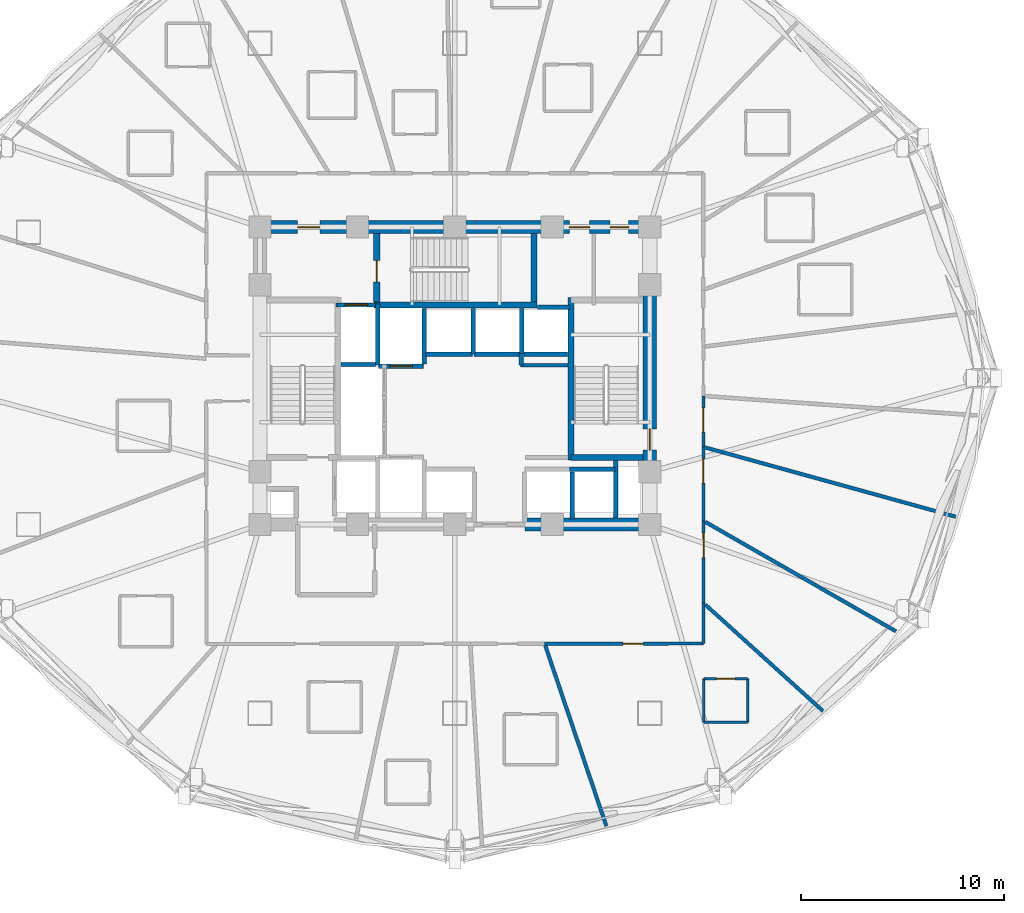
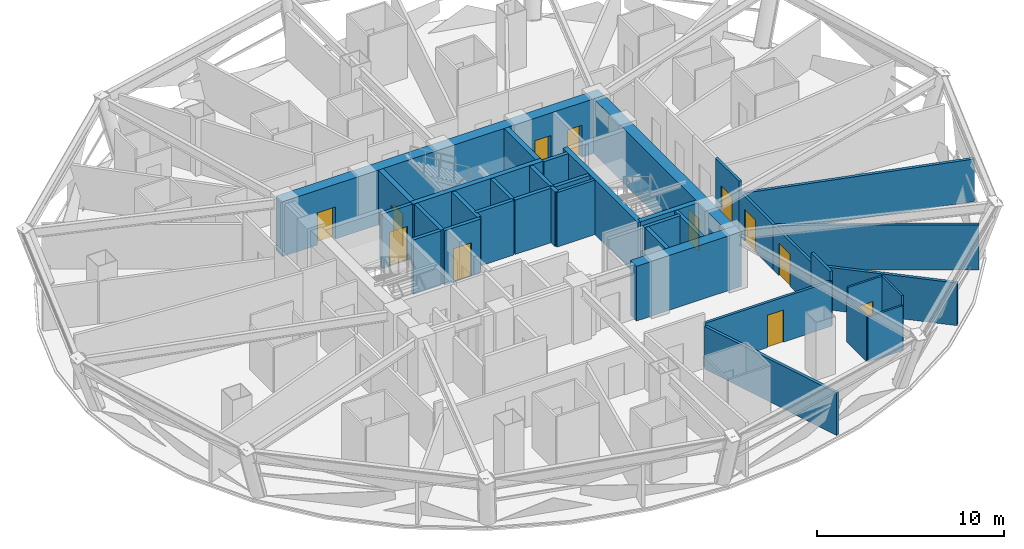
# One storey, part 6 of 12: 37 walls, 12 doors, 12 openings.
"""IFC4 building model written with IfcOpenShell, lengths in metres."""

from ifc_helpers import new_model, si_unit, direction, frame, frame_2d, origin, place, context, subcontext, project, spatial, rectangle, extrude, material, layer, layer_set, type_object, element, fill, save


model = new_model("IFC4")

# Units and contexts
model_context = context("Model", 3, precision=1e-05, world=origin(), true_north=direction((0.0, 1.0)))
body_context = subcontext(model_context, "Body", "Model", "MODEL_VIEW")
ifc_project = project(units=[si_unit("LENGTHUNIT", "METRE"), si_unit("AREAUNIT", "SQUARE_METRE"), si_unit("VOLUMEUNIT", "CUBIC_METRE"), si_unit("PLANEANGLEUNIT", "RADIAN"), si_unit("MASSUNIT", "GRAM", prefix="KILO")], contexts=[model_context])

# Site, building, storey
site_placement = place(None, origin())
site = spatial("IfcSite", under=ifc_project, at=site_placement, CompositionType="ELEMENT")
building_placement = place(site_placement, origin())
building = spatial("IfcBuilding", under=site, at=building_placement, Name="Vantalir Tower", CompositionType="ELEMENT")
storey_placement = place(building_placement, frame((0.0, 0.0, 38.25)))
storey = spatial("IfcBuildingStorey", under=building, at=storey_placement, Name="L08", CompositionType="ELEMENT", Elevation=38.25)

# Wall
ifc_material_1 = material(Name="Moisture-resistant en-suite partition", Category="gypsum")
ifc_layer_1 = layer(ifc_material_1, 0.125)
ifc_layer_set_1 = layer_set([ifc_layer_1], Name="Moisture-resistant en-suite partition")
wall_type_1 = type_object("IfcWallType", Name="WL-BATH-125", PredefinedType="PARTITIONING", material=ifc_layer_set_1)
wall_1_placement = place(storey_placement, frame((43.761962890625, 8.055908203125, 0.0), z_axis=(0.0, 0.0, 1.0), x_axis=(1.0, 0.0, 0.0)))
element("IfcWall", 1, at=wall_1_placement, inside=storey, type_object=wall_type_1, Name="L08 En-suite 18 South Wall", PredefinedType="PARTITIONING", context=body_context, shape_type="SweptSolid", body=[
    extrude(rectangle(XDim=2.150146484375, YDim=0.125, at=frame_2d((1.0751953125, 0.0))), origin(), (0.0, 0.0, 1.0), 2.927978515625),
])

# Wall, opening, door
wall_2_placement = place(storey_placement, frame((43.761962890625, 10.2060546875, 0.0), z_axis=(0.0, 0.0, 1.0), x_axis=(1.0, 0.0, 0.0)))
wall_2 = element("IfcWall", 2, at=wall_2_placement, inside=storey, type_object=wall_type_1, Name="L08 En-suite 18 North Wall", PredefinedType="PARTITIONING", context=body_context, shape_type="SweptSolid", body=[
    extrude(rectangle(XDim=2.150146484375, YDim=0.125, at=frame_2d((1.0751953125, 0.0))), origin(), (0.0, 0.0, 1.0), 3.550048828125),
])
opening_1_placement = place(wall_2_placement, frame((0.625, 0.0, 0.0)))
opening_1 = element("IfcOpeningElement", 3, at=opening_1_placement, cuts=wall_2, Name="Opening D-WC", PredefinedType="OPENING", context=body_context, shape_type="SweptSolid", body=[
    extrude(rectangle(XDim=0.89990234375, YDim=2.10009765625, at=frame_2d((0.449951171875, 1.050048828125))), frame((0.0, 0.072509765625, 0.0), z_axis=(0.0, -1.0, 0.0), x_axis=(1.0, 0.0, 0.0)), (0.0, 0.0, 1.0), 0.14501953125),
])
ifc_material_2 = material(Name="Moisture-resistant hardwood door", Category="wood")
door_type_1 = type_object("IfcDoorType", Name="DR-ENSUITE-900", OperationType="NOTDEFINED", PredefinedType="DOOR", material=ifc_material_2)
door_1_placement = place(opening_1_placement, frame((0.89990234375, 0.0, 0.0), z_axis=(0.0, 0.0, 1.0), x_axis=(-1.0, 0.0, 0.0)))
door_1 = element("IfcDoor", 4, at=door_1_placement, inside=storey, type_object=door_type_1, Name="L08 En-suite 18 Door", OperationType="SINGLE_SWING_LEFT", OverallHeight=2.10009765625, OverallWidth=0.89990234375, PredefinedType="DOOR", context=body_context, shape_type="SweptSolid", body=[
    extrude(rectangle(XDim=0.89990234375, YDim=2.10009765625, at=frame_2d((0.449951171875, 1.050048828125))), frame((0.0, 0.02490234375, 0.0), z_axis=(0.0, -1.0, 0.0), x_axis=(1.0, 0.0, 0.0)), (0.0, 0.0, 1.0), 0.050048828125),
])
fill(opening_1, door_1)

# Walls
wall_3_placement = place(storey_placement, frame((43.761962890625, 8.055908203125, 0.0), z_axis=(0.0, 0.0, 1.0), x_axis=(0.0, 1.0, 0.0)))
element("IfcWall", 5, at=wall_3_placement, inside=storey, type_object=wall_type_1, Name="L08 En-suite 18 West Wall", PredefinedType="PARTITIONING", context=body_context, shape_type="SweptSolid", body=[
    extrude(rectangle(XDim=2.150146484375, YDim=0.125, at=frame_2d((1.0751953125, 0.0))), origin(), (0.0, 0.0, 1.0), 2.927978515625),
])
wall_4_placement = place(storey_placement, frame((45.912109375, 8.055908203125, 0.0), z_axis=(0.0, 0.0, 1.0), x_axis=(0.0, 1.0, 0.0)))
element("IfcWall", 6, at=wall_4_placement, inside=storey, type_object=wall_type_1, Name="L08 En-suite 18 East Wall", PredefinedType="PARTITIONING", context=body_context, shape_type="SweptSolid", body=[
    extrude(rectangle(XDim=2.150146484375, YDim=0.125, at=frame_2d((1.0751953125, 0.0))), origin(), (0.0, 0.0, 1.0), 3.550048828125),
])
ifc_material_3 = material(Name="Concrete C60/75", Category="concrete")
ifc_layer_2 = layer(ifc_material_3, 0.64990234375)
ifc_layer_set_2 = layer_set([ifc_layer_2], Name="Concrete C60/75")
wall_type_2 = type_object("IfcWallType", Name="WL-CORE-650", PredefinedType="SHEAR", material=ifc_layer_set_2)
wall_5_placement = place(storey_placement, frame((34.949951171875, 17.800048828125, 0.0), z_axis=(0.0, 0.0, 1.0), x_axis=(1.0, 0.0, 0.0)))
element("IfcWall", 7, at=wall_5_placement, inside=storey, type_object=wall_type_2, Name="L08 Core Shear Wall South-East", PredefinedType="SHEAR", context=body_context, shape_type="SweptSolid", body=[
    extrude(rectangle(XDim=6.47509765625, YDim=0.64990234375, at=frame_2d((3.237548828125, 0.0))), origin(), (0.0, 0.0, 1.0), 3.570068359375),
])

# Wall, openings, doors
wall_6_placement = place(storey_placement, frame((21.574951171875, 32.449951171875, 0.0), z_axis=(0.0, 0.0, 1.0), x_axis=(1.0, 0.0, 0.0)))
wall_6 = element("IfcWall", 8, at=wall_6_placement, inside=storey, type_object=wall_type_2, Name="L08 Core Shear Wall North", PredefinedType="SHEAR", context=body_context, shape_type="SweptSolid", body=[
    extrude(rectangle(XDim=19.85009765625, YDim=0.64990234375, at=frame_2d((9.925048828125, 0.0))), origin(), (0.0, 0.0, 1.0), 3.570068359375),
])
opening_2_placement = place(wall_6_placement, frame((2.175048828125, 0.0, 0.0)))
opening_2 = element("IfcOpeningElement", 9, at=opening_2_placement, cuts=wall_6, Name="Opening D-FFL", PredefinedType="OPENING", context=body_context, shape_type="SweptSolid", body=[
    extrude(rectangle(XDim=1.10009765625, YDim=2.10009765625, at=frame_2d((0.550048828125, 1.050048828125))), frame((0.0, 0.3349609375, 0.0), z_axis=(0.0, -1.0, 0.0), x_axis=(1.0, 0.0, 0.0)), (0.0, 0.0, 1.0), 0.669921875),
])
opening_3_placement = place(wall_6_placement, frame((15.56494140625, 0.0, 0.0)))
opening_3 = element("IfcOpeningElement", 10, at=opening_3_placement, cuts=wall_6, Name="Opening D-GUEST", PredefinedType="OPENING", context=body_context, shape_type="SweptSolid", body=[
    extrude(rectangle(XDim=1.0, YDim=2.10009765625, at=frame_2d((0.5, 1.050048828125))), frame((0.0, 0.3349609375, 0.0), z_axis=(0.0, -1.0, 0.0), x_axis=(1.0, 0.0, 0.0)), (0.0, 0.0, 1.0), 0.669921875),
])
opening_4_placement = place(wall_6_placement, frame((17.574951171875, 0.0, 0.0)))
opening_4 = element("IfcOpeningElement", 11, at=opening_4_placement, cuts=wall_6, Name="Opening D-CR", PredefinedType="OPENING", context=body_context, shape_type="SweptSolid", body=[
    extrude(rectangle(XDim=0.89990234375, YDim=2.10009765625, at=frame_2d((0.449951171875, 1.050048828125))), frame((0.0, 0.3349609375, 0.0), z_axis=(0.0, -1.0, 0.0), x_axis=(1.0, 0.0, 0.0)), (0.0, 0.0, 1.0), 0.669921875),
])
ifc_material_4 = material(Name="Fire-rated steel core service door", Category="steel")
door_type_2 = type_object("IfcDoorType", Name="DR-CORE-SERV-900", OperationType="NOTDEFINED", PredefinedType="DOOR", material=ifc_material_4)
door_2_placement = place(opening_4_placement, frame((0.89990234375, 0.0, 0.0), z_axis=(0.0, 0.0, 1.0), x_axis=(-1.0, 0.0, 0.0)))
door_2 = element("IfcDoor", 12, at=door_2_placement, inside=storey, type_object=door_type_2, Name="L08 Housekeeping and Linen Room Door", OperationType="SINGLE_SWING_RIGHT", OverallHeight=2.10009765625, OverallWidth=0.89990234375, PredefinedType="DOOR", context=body_context, shape_type="SweptSolid", body=[
    extrude(rectangle(XDim=0.89990234375, YDim=2.10009765625, at=frame_2d((0.449951171875, 1.050048828125))), frame((0.0, 0.02490234375, 0.0), z_axis=(0.0, -1.0, 0.0), x_axis=(1.0, 0.0, 0.0)), (0.0, 0.0, 1.0), 0.050048828125),
])
fill(opening_4, door_2)
ifc_material_5 = material(Name="Fire-rated acoustic steel door", Category="steel")
door_type_3 = type_object("IfcDoorType", Name="DR-FIRE-LOBBY-1100", OperationType="NOTDEFINED", PredefinedType="DOOR", material=ifc_material_5)
door_3_placement = place(opening_2_placement, frame((1.10009765625, 0.0, 0.0), z_axis=(0.0, 0.0, 1.0), x_axis=(-1.0, 0.0, 0.0)))
door_3 = element("IfcDoor", 13, at=door_3_placement, inside=storey, type_object=door_type_3, Name="L08 Firefighting Lobby East Access Door", OperationType="SINGLE_SWING_RIGHT", OverallHeight=2.10009765625, OverallWidth=1.10009765625, PredefinedType="DOOR", context=body_context, shape_type="SweptSolid", body=[
    extrude(rectangle(XDim=1.10009765625, YDim=2.10009765625, at=frame_2d((0.550048828125, 1.050048828125))), frame((0.0, 0.02490234375, 0.0), z_axis=(0.0, -1.0, 0.0), x_axis=(1.0, 0.0, 0.0)), (0.0, 0.0, 1.0), 0.050048828125),
])
fill(opening_2, door_3)
ifc_material_6 = material(Name="Solid-core teak veneer acoustic fire door", Category="wood")
door_type_4 = type_object("IfcDoorType", Name="DR-GUEST-ENTRY-1000", OperationType="NOTDEFINED", PredefinedType="DOOR", material=ifc_material_6)
door_4_placement = place(opening_3_placement, frame((1.0, 0.0, 0.0), z_axis=(0.0, 0.0, 1.0), x_axis=(-1.0, 0.0, 0.0)))
door_4 = element("IfcDoor", 14, at=door_4_placement, inside=storey, type_object=door_type_4, Name="L08 High-Rise Lift Lobby Door", OperationType="SINGLE_SWING_LEFT", OverallHeight=2.10009765625, OverallWidth=1.0, PredefinedType="DOOR", context=body_context, shape_type="SweptSolid", body=[
    extrude(rectangle(XDim=1.0, YDim=2.10009765625, at=frame_2d((0.5, 1.050048828125))), frame((0.0, 0.02490234375, 0.0), z_axis=(0.0, -1.0, 0.0), x_axis=(1.0, 0.0, 0.0)), (0.0, 0.0, 1.0), 0.050048828125),
])
fill(opening_3, door_4)

# Wall, opening, door
wall_7_placement = place(storey_placement, frame((41.10009765625, 18.125, 0.0), z_axis=(0.0, 0.0, 1.0), x_axis=(0.0, 1.0, 0.0)))
wall_7 = element("IfcWall", 15, at=wall_7_placement, inside=storey, type_object=wall_type_2, Name="L08 Core Shear Wall East", PredefinedType="SHEAR", context=body_context, shape_type="SweptSolid", body=[
    extrude(rectangle(XDim=14.0, YDim=0.64990234375, at=frame_2d((7.0, 0.0))), origin(), (0.0, 0.0, 1.0), 3.570068359375),
])
opening_5_placement = place(wall_7_placement, frame((3.3349609375, 0.0, 0.0)))
opening_5 = element("IfcOpeningElement", 16, at=opening_5_placement, cuts=wall_7, Name="Opening D-ST", PredefinedType="OPENING", context=body_context, shape_type="SweptSolid", body=[
    extrude(rectangle(XDim=1.050048828125, YDim=2.10009765625, at=frame_2d((0.52490234375, 1.050048828125))), frame((0.0, 0.3349609375, 0.0), z_axis=(0.0, -1.0, 0.0), x_axis=(1.0, 0.0, 0.0)), (0.0, 0.0, 1.0), 0.669921875),
])
ifc_material_7 = material(Name="Fire-rated steel door leaf", Category="steel")
door_type_5 = type_object("IfcDoorType", Name="DR-FIRE-STAIR-1050", OperationType="NOTDEFINED", PredefinedType="DOOR", material=ifc_material_7)
door_5_placement = place(opening_5_placement, origin())
door_5 = element("IfcDoor", 17, at=door_5_placement, inside=storey, type_object=door_type_5, Name="L08 Exit Stair ST2 Fire Door", OperationType="SINGLE_SWING_LEFT", OverallHeight=2.10009765625, OverallWidth=1.050048828125, PredefinedType="DOOR", context=body_context, shape_type="SweptSolid", body=[
    extrude(rectangle(XDim=1.050048828125, YDim=2.10009765625, at=frame_2d((0.52490234375, 1.050048828125))), frame((0.0, 0.02490234375, 0.0), z_axis=(0.0, -1.0, 0.0), x_axis=(1.0, 0.0, 0.0)), (0.0, 0.0, 1.0), 0.050048828125),
])
fill(opening_5, door_5)

ifc_material_8 = material(Name="Fire-rated hotel corridor acoustic partition", Category="gypsum")
ifc_layer_3 = layer(ifc_material_8, 0.159912109375)
ifc_layer_set_3 = layer_set([ifc_layer_3], Name="Fire-rated hotel corridor acoustic partition")
wall_type_3 = type_object("IfcWallType", Name="WL-CORR-160", PredefinedType="PARTITIONING", material=ifc_layer_set_3)
wall_8_placement = place(storey_placement, frame((43.739013671875, 24.12890625, 0.0), z_axis=(0.0, 0.0, 1.0), x_axis=(0.000777529165, -0.999999697724, 0.0)))
wall_8 = element("IfcWall", 18, at=wall_8_placement, inside=storey, type_object=wall_type_3, Name="L08 Corridor Partition 17", PredefinedType="PARTITIONING", context=body_context, shape_type="SweptSolid", body=[
    extrude(rectangle(XDim=2.511962890625, YDim=0.159912109375, at=frame_2d((1.255859375, 0.0))), origin(), (0.0, 0.0, 1.0), 3.550048828125),
])
opening_6_placement = place(wall_8_placement, frame((0.5849609375, 0.0, 0.0)))
opening_6 = element("IfcOpeningElement", 19, at=opening_6_placement, cuts=wall_8, Name="Opening D-STE", PredefinedType="OPENING", context=body_context, shape_type="SweptSolid", body=[
    extrude(rectangle(XDim=1.199951171875, YDim=2.10009765625, at=frame_2d((0.60009765625, 1.050048828125))), frame((0.0, 0.08984375, 0.0), z_axis=(0.0, -1.0, 0.0), x_axis=(1.0, 0.0, 0.0)), (0.0, 0.0, 1.0), 0.179931640625),
])
ifc_material_9 = material(Name="Solid-core teak veneer suite entrance door", Category="wood")
door_type_6 = type_object("IfcDoorType", Name="DR-SUITE-ENTRY-1200", OperationType="NOTDEFINED", PredefinedType="DOOR", material=ifc_material_9)
door_6_placement = place(opening_6_placement, origin())
door_6 = element("IfcDoor", 20, at=door_6_placement, inside=storey, type_object=door_type_6, Name="L08 Club Reading Lounge 21 Door", OperationType="SINGLE_SWING_LEFT", OverallHeight=2.10009765625, OverallWidth=1.199951171875, PredefinedType="DOOR", context=body_context, shape_type="SweptSolid", body=[
    extrude(rectangle(XDim=1.199951171875, YDim=2.10009765625, at=frame_2d((0.60009765625, 1.050048828125))), frame((0.0, 0.02490234375, 0.0), z_axis=(0.0, -1.0, 0.0), x_axis=(1.0, 0.0, 0.0)), (0.0, 0.0, 1.0), 0.050048828125),
])
fill(opening_6, door_6)

wall_9_placement = place(storey_placement, frame((43.740966796875, 21.616943359375, 0.0), z_axis=(0.0, 0.0, 1.0), x_axis=(0.00053658856, -0.999999856036, 0.0)))
wall_9 = element("IfcWall", 21, at=wall_9_placement, inside=storey, type_object=wall_type_3, Name="L08 Corridor Partition 18", PredefinedType="PARTITIONING", context=body_context, shape_type="SweptSolid", body=[
    extrude(rectangle(XDim=3.639892578125, YDim=0.159912109375, at=frame_2d((1.81982421875, 0.0))), origin(), (0.0, 0.0, 1.0), 2.927978515625),
])
opening_7_placement = place(wall_9_placement, frame((0.583984375, 0.0, 0.0)))
opening_7 = element("IfcOpeningElement", 22, at=opening_7_placement, cuts=wall_9, Name="Opening D-STE", PredefinedType="OPENING", context=body_context, shape_type="SweptSolid", body=[
    extrude(rectangle(XDim=1.199951171875, YDim=2.10009765625, at=frame_2d((0.60009765625, 1.050048828125))), frame((0.0, 0.08984375, 0.0), z_axis=(0.0, -1.0, 0.0), x_axis=(1.0, 0.0, 0.0)), (0.0, 0.0, 1.0), 0.179931640625),
])
door_7_placement = place(opening_7_placement, origin())
door_7 = element("IfcDoor", 23, at=door_7_placement, inside=storey, type_object=door_type_6, Name="L08 Club Reading Lounge 20 Door", OperationType="SINGLE_SWING_RIGHT", OverallHeight=2.10009765625, OverallWidth=1.199951171875, PredefinedType="DOOR", context=body_context, shape_type="SweptSolid", body=[
    extrude(rectangle(XDim=1.199951171875, YDim=2.10009765625, at=frame_2d((0.60009765625, 1.050048828125))), frame((0.0, 0.02490234375, 0.0), z_axis=(0.0, -1.0, 0.0), x_axis=(1.0, 0.0, 0.0)), (0.0, 0.0, 1.0), 0.050048828125),
])
fill(opening_7, door_7)

wall_10_placement = place(storey_placement, frame((43.742919921875, 17.97705078125, 0.0), z_axis=(0.0, 0.0, 1.0), x_axis=(0.000784218858, -0.9999996925, 0.0)))
wall_10 = element("IfcWall", 24, at=wall_10_placement, inside=storey, type_object=wall_type_3, Name="L08 Corridor Partition 19", PredefinedType="PARTITIONING", context=body_context, shape_type="SweptSolid", body=[
    extrude(rectangle(XDim=4.047119140625, YDim=0.159912109375, at=frame_2d((2.0234375, 0.0))), origin(), (0.0, 0.0, 1.0), 2.927978515625),
])
opening_8_placement = place(wall_10_placement, frame((0.60595703125, 0.0, 0.0)))
opening_8 = element("IfcOpeningElement", 25, at=opening_8_placement, cuts=wall_10, Name="Opening D-STE", PredefinedType="OPENING", context=body_context, shape_type="SweptSolid", body=[
    extrude(rectangle(XDim=1.199951171875, YDim=2.10009765625, at=frame_2d((0.60009765625, 1.050048828125))), frame((0.0, 0.08984375, 0.0), z_axis=(0.0, -1.0, 0.0), x_axis=(1.0, 0.0, 0.0)), (0.0, 0.0, 1.0), 0.179931640625),
])
door_8_placement = place(opening_8_placement, origin())
door_8 = element("IfcDoor", 26, at=door_8_placement, inside=storey, type_object=door_type_6, Name="L08 Executive Business Study 19 Door", OperationType="SINGLE_SWING_LEFT", OverallHeight=2.10009765625, OverallWidth=1.199951171875, PredefinedType="DOOR", context=body_context, shape_type="SweptSolid", body=[
    extrude(rectangle(XDim=1.199951171875, YDim=2.10009765625, at=frame_2d((0.60009765625, 1.050048828125))), frame((0.0, 0.02490234375, 0.0), z_axis=(0.0, -1.0, 0.0), x_axis=(1.0, 0.0, 0.0)), (0.0, 0.0, 1.0), 0.050048828125),
])
fill(opening_8, door_8)

# Wall
wall_11_placement = place(storey_placement, frame((43.74609375, 13.929931640625, 0.0), z_axis=(0.0, 0.0, 1.0), x_axis=(0.000978592804, -0.999999521178, 0.0)))
element("IfcWall", 27, at=wall_11_placement, inside=storey, type_object=wall_type_3, Name="L08 Corridor Partition 20", PredefinedType="PARTITIONING", context=body_context, shape_type="SweptSolid", body=[
    extrude(rectangle(XDim=1.995849609375, YDim=0.159912109375, at=frame_2d((0.998046875, 0.0))), origin(), (0.0, 0.0, 1.0), 3.550048828125),
])

# Wall, opening, door
wall_12_placement = place(storey_placement, frame((43.748046875, 11.93408203125, 0.0), z_axis=(0.0, 0.0, 1.0), x_axis=(-0.999999695966, -0.000779787661, 0.0)))
wall_12 = element("IfcWall", 28, at=wall_12_placement, inside=storey, type_object=wall_type_3, Name="L08 Corridor Partition 21", PredefinedType="PARTITIONING", context=body_context, shape_type="SweptSolid", body=[
    extrude(rectangle(XDim=7.8271484375, YDim=0.159912109375, at=frame_2d((3.91357421875, 0.0))), origin(), (0.0, 0.0, 1.0), 2.927978515625),
])
opening_9_placement = place(wall_12_placement, frame((2.969970703125, 0.0, 0.0)))
opening_9 = element("IfcOpeningElement", 29, at=opening_9_placement, cuts=wall_12, Name="Opening D-GUEST", PredefinedType="OPENING", context=body_context, shape_type="SweptSolid", body=[
    extrude(rectangle(XDim=1.0, YDim=2.10009765625, at=frame_2d((0.5, 1.050048828125))), frame((0.0, 0.08984375, 0.0), z_axis=(0.0, -1.0, 0.0), x_axis=(1.0, 0.0, 0.0)), (0.0, 0.0, 1.0), 0.179931640625),
])
door_9_placement = place(opening_9_placement, origin())
door_9 = element("IfcDoor", 30, at=door_9_placement, inside=storey, type_object=door_type_4, Name="L08 Twin Queen Hotel Room 18 Door", OperationType="SINGLE_SWING_RIGHT", OverallHeight=2.10009765625, OverallWidth=1.0, PredefinedType="DOOR", context=body_context, shape_type="SweptSolid", body=[
    extrude(rectangle(XDim=1.0, YDim=2.10009765625, at=frame_2d((0.5, 1.050048828125))), frame((0.0, 0.02490234375, 0.0), z_axis=(0.0, -1.0, 0.0), x_axis=(1.0, 0.0, 0.0)), (0.0, 0.0, 1.0), 0.050048828125),
])
fill(opening_9, door_9)

# Walls
ifc_material_10 = material(Name="Concrete blockwork with fireboard lining", Category="masonry")
ifc_layer_4 = layer(ifc_material_10, 0.219970703125)
ifc_layer_set_4 = layer_set([ifc_layer_4], Name="Concrete blockwork with fireboard lining")
wall_type_4 = type_object("IfcWallType", Name="WL-FFL-220", PredefinedType="PARTITIONING", material=ifc_layer_set_4)
wall_13_placement = place(storey_placement, frame((37.27490234375, 18.080078125, 0.0), z_axis=(0.0, 0.0, 1.0), x_axis=(0.0, 1.0, 0.0)))
element("IfcWall", 31, at=wall_13_placement, inside=storey, type_object=wall_type_4, Name="L08 Shuttle Lift PL-X2/X3 Shaft Divider", PredefinedType="PARTITIONING", context=body_context, shape_type="SweptSolid", body=[
    extrude(rectangle(XDim=2.309814453125, YDim=0.219970703125, at=frame_2d((1.15478515625, 0.0))), origin(), (0.0, 0.0, 1.0), 3.544921875),
])
wall_14_placement = place(storey_placement, frame((30.0, 25.7099609375, 0.0), z_axis=(0.0, 0.0, 1.0), x_axis=(0.0, 1.0, 0.0)))
element("IfcWall", 32, at=wall_14_placement, inside=storey, type_object=wall_type_4, Name="L08 Service Lift SV2 East Shaft Wall", PredefinedType="PARTITIONING", context=body_context, shape_type="SweptSolid", body=[
    extrude(rectangle(XDim=2.72998046875, YDim=0.219970703125, at=frame_2d((1.364990234375, 0.0))), origin(), (0.0, 0.0, 1.0), 3.544921875),
])
wall_15_placement = place(storey_placement, frame((32.39990234375, 26.199951171875, 0.0), z_axis=(0.0, 0.0, 1.0), x_axis=(0.0, 1.0, 0.0)))
element("IfcWall", 33, at=wall_15_placement, inside=storey, type_object=wall_type_4, Name="L08 High-Rise Lift PL-H1/H2 Shaft Divider", PredefinedType="PARTITIONING", context=body_context, shape_type="SweptSolid", body=[
    extrude(rectangle(XDim=2.239990234375, YDim=0.219970703125, at=frame_2d((1.1201171875, 0.0))), origin(), (0.0, 0.0, 1.0), 3.544921875),
])
wall_16_placement = place(storey_placement, frame((34.800048828125, 26.22998046875, 0.0), z_axis=(0.0, 0.0, 1.0), x_axis=(0.0, 1.0, 0.0)))
element("IfcWall", 34, at=wall_16_placement, inside=storey, type_object=wall_type_4, Name="L08 High-Rise Lift PL-H2/H3 Shaft Divider", PredefinedType="PARTITIONING", context=body_context, shape_type="SweptSolid", body=[
    extrude(rectangle(XDim=2.2099609375, YDim=0.219970703125, at=frame_2d((1.10498046875, 0.0))), origin(), (0.0, 0.0, 1.0), 3.544921875),
])
wall_17_placement = place(storey_placement, frame((34.909912109375, 26.18994140625, 0.0), z_axis=(0.0, 0.0, 1.0), x_axis=(1.0, 0.0, 0.0)))
element("IfcWall", 35, at=wall_17_placement, inside=storey, type_object=wall_type_4, Name="L08 High-Rise Lift PL-H3 Rear Shaft Wall", PredefinedType="PARTITIONING", context=body_context, shape_type="SweptSolid", body=[
    extrude(rectangle(XDim=2.14013671875, YDim=0.219970703125, at=frame_2d((1.070068359375, 0.0))), origin(), (0.0, 0.0, 1.0), 3.544921875),
])
wall_18_placement = place(storey_placement, frame((39.419921875, 18.125, 0.0), z_axis=(0.0, 0.0, 1.0), x_axis=(0.0, 1.0, 0.0)))
element("IfcWall", 36, at=wall_18_placement, inside=storey, type_object=wall_type_4, Name="L08 East MEP Riser Wall W", PredefinedType="PARTITIONING", context=body_context, shape_type="SweptSolid", body=[
    extrude(rectangle(XDim=2.824951171875, YDim=0.219970703125, at=frame_2d((1.41259765625, 0.0))), origin(), (0.0, 0.0, 1.0), 3.550048828125),
])

# Wall, opening, door
wall_19_placement = place(storey_placement, frame((25.639892578125, 28.610107421875, 0.0), z_axis=(0.0, 0.0, 1.0), x_axis=(1.0, 0.0, 0.0)))
wall_19 = element("IfcWall", 37, at=wall_19_placement, inside=storey, type_object=wall_type_4, Name="L08 Lift FL2 Shaft Front Wall", PredefinedType="PARTITIONING", context=body_context, shape_type="SweptSolid", body=[
    extrude(rectangle(XDim=2.02001953125, YDim=0.219970703125, at=frame_2d((1.010009765625, 0.0))), origin(), (0.0, 0.0, 1.0), 3.550048828125),
])
opening_10_placement = place(wall_19_placement, frame((0.4599609375, 0.0, 0.0)))
opening_10 = element("IfcOpeningElement", 38, at=opening_10_placement, cuts=wall_19, Name="Opening LD-FL2", PredefinedType="OPENING", context=body_context, shape_type="SweptSolid", body=[
    extrude(rectangle(XDim=1.10009765625, YDim=2.199951171875, at=frame_2d((0.550048828125, 1.10009765625))), frame((0.0, 0.119873046875, 0.0), z_axis=(0.0, -1.0, 0.0), x_axis=(1.0, 0.0, 0.0)), (0.0, 0.0, 1.0), 0.239990234375),
])
ifc_material_11 = material(Name="Brushed stainless-steel sliding lift landing door", Category="steel")
door_type_7 = type_object("IfcDoorType", Name="DR-LIFT-LANDING-1100", OperationType="DOUBLE_DOOR_SLIDING", PredefinedType="DOOR", material=ifc_material_11)
door_10_placement = place(opening_10_placement, origin())
door_10 = element("IfcDoor", 39, at=door_10_placement, inside=storey, type_object=door_type_7, Name="L08 Lift Landing Door FL2", OperationType="DOUBLE_DOOR_SLIDING", OverallHeight=2.199951171875, OverallWidth=1.10009765625, PredefinedType="DOOR", context=body_context, shape_type="SweptSolid", body=[
    extrude(rectangle(XDim=1.10009765625, YDim=2.199951171875, at=frame_2d((0.550048828125, 1.10009765625))), frame((0.0, 0.02490234375, 0.0), z_axis=(0.0, -1.0, 0.0), x_axis=(1.0, 0.0, 0.0)), (0.0, 0.0, 1.0), 0.050048828125),
])
fill(opening_10, door_10)

wall_20_placement = place(storey_placement, frame((27.739990234375, 25.590087890625, 0.0), z_axis=(0.0, 0.0, 1.0), x_axis=(1.0, 0.0, 0.0)))
wall_20 = element("IfcWall", 40, at=wall_20_placement, inside=storey, type_object=wall_type_4, Name="L08 Lift SV2 Shaft Front Wall", PredefinedType="PARTITIONING", context=body_context, shape_type="SweptSolid", body=[
    extrude(rectangle(XDim=2.219970703125, YDim=0.219970703125, at=frame_2d((1.10986328125, 0.0))), origin(), (0.0, 0.0, 1.0), 3.550048828125),
])
opening_11_placement = place(wall_20_placement, frame((0.56005859375, 0.0, 0.0)))
opening_11 = element("IfcOpeningElement", 41, at=opening_11_placement, cuts=wall_20, Name="Opening LD-SV2", PredefinedType="OPENING", context=body_context, shape_type="SweptSolid", body=[
    extrude(rectangle(XDim=1.10009765625, YDim=2.199951171875, at=frame_2d((0.550048828125, 1.10009765625))), frame((0.0, 0.119873046875, 0.0), z_axis=(0.0, -1.0, 0.0), x_axis=(1.0, 0.0, 0.0)), (0.0, 0.0, 1.0), 0.239990234375),
])
door_11_placement = place(opening_11_placement, frame((1.10009765625, 0.0, 0.0), z_axis=(0.0, 0.0, 1.0), x_axis=(-1.0, 0.0, 0.0)))
door_11 = element("IfcDoor", 42, at=door_11_placement, inside=storey, type_object=door_type_7, Name="L08 Lift Landing Door SV2", OperationType="DOUBLE_DOOR_SLIDING", OverallHeight=2.199951171875, OverallWidth=1.10009765625, PredefinedType="DOOR", context=body_context, shape_type="SweptSolid", body=[
    extrude(rectangle(XDim=1.10009765625, YDim=2.199951171875, at=frame_2d((0.550048828125, 1.10009765625))), frame((0.0, 0.02490234375, 0.0), z_axis=(0.0, -1.0, 0.0), x_axis=(1.0, 0.0, 0.0)), (0.0, 0.0, 1.0), 0.050048828125),
])
fill(opening_11, door_11)

# Walls
wall_21_placement = place(storey_placement, frame((37.139892578125, 20.510009765625, 0.0), z_axis=(0.0, 0.0, 1.0), x_axis=(1.0, 0.0, 0.0)))
element("IfcWall", 43, at=wall_21_placement, inside=storey, type_object=wall_type_4, Name="L08 Lift PL-X2 Shaft Rear Wall", PredefinedType="PARTITIONING", context=body_context, shape_type="SweptSolid", body=[
    extrude(rectangle(XDim=2.239990234375, YDim=0.219970703125, at=frame_2d((1.1201171875, 0.0))), origin(), (0.0, 0.0, 1.0), 3.550048828125),
])
for number, where, z_axis, x_axis, name in (
    (44, (30.0400390625, 26.18994140625, 0.0), (0.0, 0.0, 1.0), (1.0, 0.0, 0.0), "L08 Lift PL-H1 Shaft Front Wall"),
    (45, (32.43994140625, 26.18994140625, 0.0), (0.0, 0.0, 1.0), (1.0, 0.0, 0.0), "L08 Lift PL-H2 Shaft Front Wall"),
):
    element("IfcWall", number, at=place(storey_placement, frame(where, z_axis=z_axis, x_axis=x_axis)), inside=storey, type_object=wall_type_4, Name=name, PredefinedType="PARTITIONING", context=body_context, shape_type="SweptSolid", body=[
        extrude(rectangle(XDim=2.320068359375, YDim=0.219970703125, at=frame_2d((1.16015625, 0.0))), origin(), (0.0, 0.0, 1.0), 3.550048828125),
    ])
wall_22_placement = place(storey_placement, frame((35.56005859375, 28.510009765625, 0.0), z_axis=(0.0, 0.0, 1.0), x_axis=(1.0, 0.0, 0.0)))
element("IfcWall", 46, at=wall_22_placement, inside=storey, type_object=wall_type_4, Name="L08 Lift PL-H3 Shaft Front Wall", PredefinedType="PARTITIONING", context=body_context, shape_type="SweptSolid", body=[
    extrude(rectangle(XDim=1.599853515625, YDim=0.219970703125, at=frame_2d((0.7998046875, 0.0))), origin(), (0.0, 0.0, 1.0), 3.550048828125),
])
wall_23_placement = place(storey_placement, frame((27.699951171875, 25.64990234375, 0.0), z_axis=(0.0, 0.0, 1.0), x_axis=(0.0, 1.0, 0.0)))
element("IfcWall", 47, at=wall_23_placement, inside=storey, type_object=wall_type_4, Name="L08 Fire Lift FL2 Dividing Wall", PredefinedType="PARTITIONING", context=body_context, shape_type="SweptSolid", body=[
    extrude(rectangle(XDim=3.0, YDim=0.219970703125, at=frame_2d((1.5, 0.0))), origin(), (0.0, 0.0, 1.0), 3.550048828125),
])
wall_24_placement = place(storey_placement, frame((25.8798828125, 25.679931640625, 0.0), z_axis=(0.0, 0.0, 1.0), x_axis=(1.0, 0.0, 0.0)))
element("IfcWall", 48, at=wall_24_placement, inside=storey, type_object=wall_type_4, Name="L08 Low-Rise Bank North Wall", PredefinedType="PARTITIONING", context=body_context, shape_type="SweptSolid", body=[
    extrude(rectangle(XDim=1.7001953125, YDim=0.219970703125, at=frame_2d((0.85009765625, 0.0))), origin(), (0.0, 0.0, 1.0), 3.550048828125),
])
wall_25_placement = place(storey_placement, frame((34.760009765625, 25.64990234375, 0.0), z_axis=(0.0, 0.0, 1.0), x_axis=(0.0, 1.0, 0.0)))
element("IfcWall", 49, at=wall_25_placement, inside=storey, type_object=wall_type_4, Name="L08 High-Rise Shaft Shoulder Wall", PredefinedType="PARTITIONING", context=body_context, shape_type="SweptSolid", body=[
    extrude(rectangle(XDim=0.570068359375, YDim=0.219970703125, at=frame_2d((0.28515625, 0.0))), origin(), (0.0, 0.0, 1.0), 3.550048828125),
])
ifc_material_12 = material(Name="Twin-stud acoustic fire-rated gypsum partition", Category="gypsum")
ifc_layer_5 = layer(ifc_material_12, 0.179931640625)
ifc_layer_set_5 = layer_set([ifc_layer_5], Name="Twin-stud acoustic fire-rated gypsum partition")
wall_type_5 = type_object("IfcWallType", Name="WL-GUEST-180", PredefinedType="PARTITIONING", material=ifc_layer_set_5)
wall_26_placement = place(storey_placement, frame((34.719970703125, 25.64990234375, 0.0), z_axis=(0.0, 0.0, 1.0), x_axis=(1.0, 0.0, 0.0)))
element("IfcWall", 50, at=wall_26_placement, inside=storey, type_object=wall_type_5, Name="L08 Freed East Core North Wall", PredefinedType="PARTITIONING", context=body_context, shape_type="SweptSolid", body=[
    extrude(rectangle(XDim=2.340087890625, YDim=0.179931640625, at=frame_2d((1.169921875, 0.0))), origin(), (0.0, 0.0, 1.0), 3.550048828125),
])
wall_27_placement = place(storey_placement, frame((35.951904296875, 11.837890625, 0.0), z_axis=(0.0, 0.0, 1.0), x_axis=(0.320360288368, -0.94729577516, 0.0)))
element("IfcWall", 51, at=wall_27_placement, inside=storey, type_object=wall_type_5, Name="L08 Radial Suite Partition 18", PredefinedType="PARTITIONING", context=body_context, shape_type="SweptSolid", body=[
    extrude(rectangle(XDim=9.386474609375, YDim=0.179931640625, at=frame_2d((4.693359375, 0.0))), origin(), (0.0, 0.0, 1.0), 2.77490234375),
])
wall_28_placement = place(storey_placement, frame((43.827880859375, 13.85693359375, 0.0), z_axis=(0.0, 0.0, 1.0), x_axis=(0.741781355669, -0.670641797372, 0.0)))
element("IfcWall", 52, at=wall_28_placement, inside=storey, type_object=wall_type_5, Name="L08 Radial Suite Partition 19", PredefinedType="PARTITIONING", context=body_context, shape_type="SweptSolid", body=[
    extrude(rectangle(XDim=7.81787109375, YDim=0.179931640625, at=frame_2d((3.908935546875, 0.0))), origin(), (0.0, 0.0, 1.0), 2.77490234375),
])
wall_29_placement = place(storey_placement, frame((43.827880859375, 17.928955078125, 0.0), z_axis=(0.0, 0.0, 1.0), x_axis=(0.867388624236, -0.49763136411, 0.0)))
element("IfcWall", 53, at=wall_29_placement, inside=storey, type_object=wall_type_5, Name="L08 Radial Suite Partition 20", PredefinedType="PARTITIONING", context=body_context, shape_type="SweptSolid", body=[
    extrude(rectangle(XDim=10.8291015625, YDim=0.179931640625, at=frame_2d((5.41455078125, 0.0))), origin(), (0.0, 0.0, 1.0), 2.927978515625),
])
wall_30_placement = place(storey_placement, frame((43.827880859375, 21.593017578125, 0.0), z_axis=(0.0, 0.0, 1.0), x_axis=(0.963880742978, -0.266334213567, 0.0)))
element("IfcWall", 54, at=wall_30_placement, inside=storey, type_object=wall_type_5, Name="L08 Radial Suite Partition 21", PredefinedType="PARTITIONING", context=body_context, shape_type="SweptSolid", body=[
    extrude(rectangle(XDim=12.799560546875, YDim=0.179931640625, at=frame_2d((6.39990234375, 0.0))), origin(), (0.0, 0.0, 1.0), 2.77490234375),
])
ifc_material_13 = material(Name="Concrete C50/60", Category="concrete")
ifc_layer_6 = layer(ifc_material_13, 0.300048828125)
ifc_layer_set_6 = layer_set([ifc_layer_6], Name="Concrete C50/60")
wall_type_6 = type_object("IfcWallType", Name="WL-STAIR-300", PredefinedType="SHEAR", material=ifc_layer_set_6)
wall_31_placement = place(storey_placement, frame((37.2099609375, 21.10009765625, 0.0), z_axis=(0.0, 0.0, 1.0), x_axis=(1.0, 0.0, 0.0)))
element("IfcWall", 55, at=wall_31_placement, inside=storey, type_object=wall_type_6, Name="L08 Stair ST2 South Wall", PredefinedType="SHEAR", context=body_context, shape_type="SweptSolid", body=[
    extrude(rectangle(XDim=3.56494140625, YDim=0.300048828125, at=frame_2d((1.782470703125, 0.0))), origin(), (0.0, 0.0, 1.0), 3.570068359375),
])
wall_32_placement = place(storey_placement, frame((37.2099609375, 20.97998046875, 0.0), z_axis=(0.0, 0.0, 1.0), x_axis=(0.0, 1.0, 0.0)))
element("IfcWall", 56, at=wall_32_placement, inside=storey, type_object=wall_type_6, Name="L08 Stair ST2 West Wall", PredefinedType="SHEAR", context=body_context, shape_type="SweptSolid", body=[
    extrude(rectangle(XDim=7.989990234375, YDim=0.300048828125, at=frame_2d((3.9951171875, 0.0))), origin(), (0.0, 0.0, 1.0), 3.570068359375),
])
wall_33_placement = place(storey_placement, frame((27.510009765625, 28.60009765625, 0.0), z_axis=(0.0, 0.0, 1.0), x_axis=(1.0, 0.0, 0.0)))
element("IfcWall", 57, at=wall_33_placement, inside=storey, type_object=wall_type_6, Name="L08 Stair ST3 South Wall", PredefinedType="SHEAR", context=body_context, shape_type="SweptSolid", body=[
    extrude(rectangle(XDim=8.030029296875, YDim=0.300048828125, at=frame_2d((4.01513671875, 0.0))), origin(), (0.0, 0.0, 1.0), 3.570068359375),
])

# Wall, opening, door
wall_34_placement = place(storey_placement, frame((27.64990234375, 28.75, 0.0), z_axis=(0.0, 0.0, 1.0), x_axis=(0.0, 1.0, 0.0)))
wall_34 = element("IfcWall", 58, at=wall_34_placement, inside=storey, type_object=wall_type_6, Name="L08 Stair ST3 West Wall", PredefinedType="SHEAR", context=body_context, shape_type="SweptSolid", body=[
    extrude(rectangle(XDim=3.375, YDim=0.300048828125, at=frame_2d((1.6875, 0.0))), origin(), (0.0, 0.0, 1.0), 3.570068359375),
])
opening_12_placement = place(wall_34_placement, frame((1.0, 0.0, 0.0)))
opening_12 = element("IfcOpeningElement", 59, at=opening_12_placement, cuts=wall_34, Name="Opening D-ST", PredefinedType="OPENING", context=body_context, shape_type="SweptSolid", body=[
    extrude(rectangle(XDim=1.050048828125, YDim=2.10009765625, at=frame_2d((0.52490234375, 1.050048828125))), frame((0.0, 0.159912109375, 0.0), z_axis=(0.0, -1.0, 0.0), x_axis=(1.0, 0.0, 0.0)), (0.0, 0.0, 1.0), 0.320068359375),
])
door_12_placement = place(opening_12_placement, frame((1.050048828125, 0.0, 0.0), z_axis=(0.0, 0.0, 1.0), x_axis=(-1.0, 0.0, 0.0)))
door_12 = element("IfcDoor", 60, at=door_12_placement, inside=storey, type_object=door_type_5, Name="L08 Exit Stair ST3 Fire Door", OperationType="SINGLE_SWING_LEFT", OverallHeight=2.10009765625, OverallWidth=1.050048828125, PredefinedType="DOOR", context=body_context, shape_type="SweptSolid", body=[
    extrude(rectangle(XDim=1.050048828125, YDim=2.10009765625, at=frame_2d((0.52490234375, 1.050048828125))), frame((0.0, 0.02490234375, 0.0), z_axis=(0.0, -1.0, 0.0), x_axis=(1.0, 0.0, 0.0)), (0.0, 0.0, 1.0), 0.050048828125),
])
fill(opening_12, door_12)

# Wall
wall_35_placement = place(storey_placement, frame((35.39990234375, 28.75, 0.0), z_axis=(0.0, 0.0, 1.0), x_axis=(0.0, 1.0, 0.0)))
element("IfcWall", 61, at=wall_35_placement, inside=storey, type_object=wall_type_6, Name="L08 Stair ST3 East Wall", PredefinedType="SHEAR", context=body_context, shape_type="SweptSolid", body=[
    extrude(rectangle(XDim=3.375, YDim=0.300048828125, at=frame_2d((1.6875, 0.0))), origin(), (0.0, 0.0, 1.0), 3.570068359375),
])

save(model, "model.ifc")
